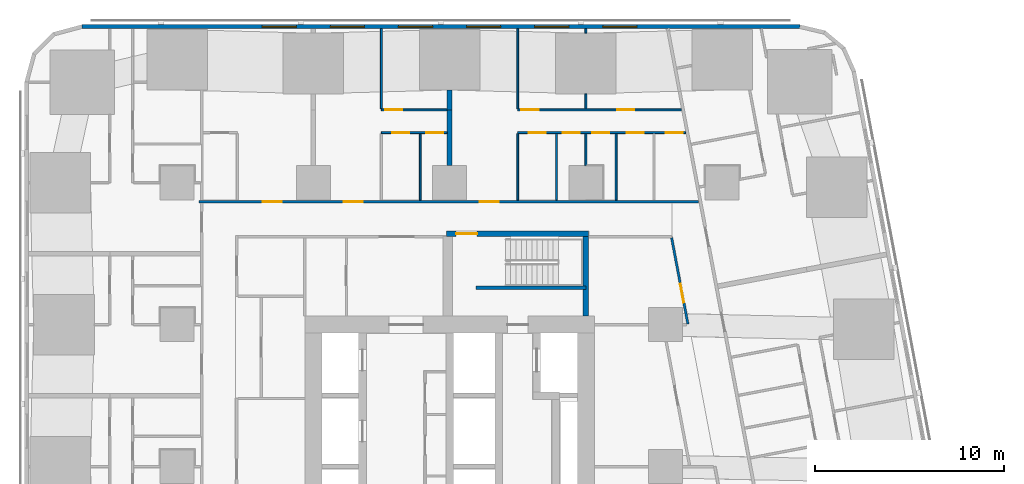
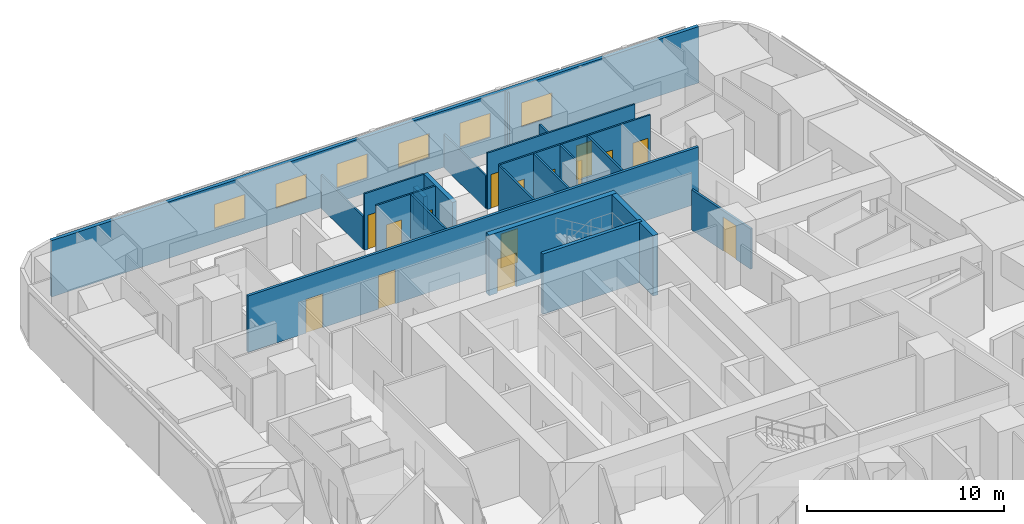
# One storey, part 12 of 17: 21 walls, 15 doors, 6 windows, 21 openings.
"""IFC4 building model written with IfcOpenShell, lengths in metres."""

from ifc_helpers import new_model, si_unit, direction, frame, frame_2d, origin, place, context, subcontext, project, spatial, rectangle, extrude, material, layer, layer_set, type_object, element, fill, save


model = new_model("IFC4")

# Units and contexts
model_context = context("Model", 3, precision=1e-05, world=origin(), true_north=direction((0.0, 1.0)))
body_context = subcontext(model_context, "Body", "Model", "MODEL_VIEW")
ifc_project = project(units=[si_unit("LENGTHUNIT", "METRE"), si_unit("AREAUNIT", "SQUARE_METRE"), si_unit("VOLUMEUNIT", "CUBIC_METRE"), si_unit("PLANEANGLEUNIT", "RADIAN"), si_unit("MASSUNIT", "GRAM", prefix="KILO")], contexts=[model_context])

# Site, building, storey
site_placement = place(None, origin())
site = spatial("IfcSite", under=ifc_project, at=site_placement, CompositionType="ELEMENT")
building_placement = place(site_placement, origin())
building = spatial("IfcBuilding", under=site, at=building_placement, Name="Sheger Commons Tower", CompositionType="ELEMENT")
storey_placement = place(building_placement, frame((0.0, 0.0, 23.75)))
storey = spatial("IfcBuildingStorey", under=building, at=storey_placement, Name="L05", CompositionType="ELEMENT", Elevation=23.75)

# Wall, openings, doors
ifc_material_1 = material(Name="Hollow concrete block masonry, skimmed both sides", Category="masonry")
ifc_layer_1 = layer(ifc_material_1, 0.14990234375)
ifc_layer_set_1 = layer_set([ifc_layer_1], Name="CORRIDOR WALL 150")
wall_type_1 = type_object("IfcWallType", Name="CORRIDOR WALL 150", PredefinedType="SOLIDWALL", material=ifc_layer_set_1)
wall_1_placement = place(storey_placement, frame((8.35009765625, 36.5, 0.0), z_axis=(0.0, 0.0, 1.0), x_axis=(1.0, 0.0, 0.0)))
wall_1 = element("IfcWall", 1, at=wall_1_placement, inside=storey, type_object=wall_type_1, Name="Corridor wall L05", PredefinedType="SOLIDWALL", context=body_context, shape_type="SweptSolid", body=[
    extrude(rectangle(XDim=26.414794921875, YDim=0.14990234375, at=frame_2d((13.20751953125, 0.0))), origin(), (0.0, 0.0, 1.0), 3.5),
])
opening_1_placement = place(wall_1_placement, frame((3.383056640625, 0.0, 0.0)))
opening_1 = element("IfcOpeningElement", 2, at=opening_1_placement, cuts=wall_1, Name="Opening D1", PredefinedType="OPENING", context=body_context, shape_type="SweptSolid", body=[
    extrude(rectangle(XDim=1.0, YDim=2.10009765625, at=frame_2d((0.5, 1.050048828125))), frame((0.0, 0.0849609375, 0.0), z_axis=(0.0, -1.0, 0.0), x_axis=(1.0, 0.0, 0.0)), (0.0, 0.0, 1.0), 0.169921875),
])
opening_2_placement = place(wall_1_placement, frame((7.64990234375, 0.0, 0.0)))
opening_2 = element("IfcOpeningElement", 3, at=opening_2_placement, cuts=wall_1, Name="Opening D1", PredefinedType="OPENING", context=body_context, shape_type="SweptSolid", body=[
    extrude(rectangle(XDim=1.0, YDim=2.10009765625, at=frame_2d((0.5, 1.050048828125))), frame((0.0, 0.0849609375, 0.0), z_axis=(0.0, -1.0, 0.0), x_axis=(1.0, 0.0, 0.0)), (0.0, 0.0, 1.0), 0.169921875),
])
opening_3_placement = place(wall_1_placement, frame((14.85693359375, 0.0, 0.0)))
opening_3 = element("IfcOpeningElement", 4, at=opening_3_placement, cuts=wall_1, Name="Opening D1", PredefinedType="OPENING", context=body_context, shape_type="SweptSolid", body=[
    extrude(rectangle(XDim=1.0, YDim=2.10009765625, at=frame_2d((0.5, 1.050048828125))), frame((0.0, 0.0849609375, 0.0), z_axis=(0.0, -1.0, 0.0), x_axis=(1.0, 0.0, 0.0)), (0.0, 0.0, 1.0), 0.169921875),
])
ifc_material_2 = material(Name="Steel door set, fire rated", Category="steel")
door_type_1 = type_object("IfcDoorType", Name="FLAT ENTRANCE DOOR 1000x2100", OperationType="NOTDEFINED", PredefinedType="DOOR", material=ifc_material_2)
door_1_placement = place(opening_1_placement, origin())
door_1 = element("IfcDoor", 5, at=door_1_placement, inside=storey, type_object=door_type_1, Name="Flat entrance door", OperationType="SINGLE_SWING_RIGHT", OverallHeight=2.10009765625, OverallWidth=1.0, PredefinedType="DOOR", context=body_context, shape_type="SweptSolid", body=[
    extrude(rectangle(XDim=1.0, YDim=2.10009765625, at=frame_2d((0.5, 1.050048828125))), frame((0.0, 0.02490234375, 0.0), z_axis=(0.0, -1.0, 0.0), x_axis=(1.0, 0.0, 0.0)), (0.0, 0.0, 1.0), 0.050048828125),
])
fill(opening_1, door_1)
door_2_placement = place(opening_2_placement, origin())
door_2 = element("IfcDoor", 6, at=door_2_placement, inside=storey, type_object=door_type_1, Name="Flat entrance door", OperationType="SINGLE_SWING_RIGHT", OverallHeight=2.10009765625, OverallWidth=1.0, PredefinedType="DOOR", context=body_context, shape_type="SweptSolid", body=[
    extrude(rectangle(XDim=1.0, YDim=2.10009765625, at=frame_2d((0.5, 1.050048828125))), frame((0.0, 0.02490234375, 0.0), z_axis=(0.0, -1.0, 0.0), x_axis=(1.0, 0.0, 0.0)), (0.0, 0.0, 1.0), 0.050048828125),
])
fill(opening_2, door_2)
door_3_placement = place(opening_3_placement, origin())
door_3 = element("IfcDoor", 7, at=door_3_placement, inside=storey, type_object=door_type_1, Name="Flat entrance door", OperationType="SINGLE_SWING_RIGHT", OverallHeight=2.10009765625, OverallWidth=1.0, PredefinedType="DOOR", context=body_context, shape_type="SweptSolid", body=[
    extrude(rectangle(XDim=1.0, YDim=2.10009765625, at=frame_2d((0.5, 1.050048828125))), frame((0.0, 0.02490234375, 0.0), z_axis=(0.0, -1.0, 0.0), x_axis=(1.0, 0.0, 0.0)), (0.0, 0.0, 1.0), 0.050048828125),
])
fill(opening_3, door_3)

# Walls
ifc_material_3 = material(Name="Dense concrete block masonry, plastered both sides (separating wall between flats)", Category="masonry")
ifc_layer_2 = layer(ifc_material_3, 0.25)
ifc_layer_set_2 = layer_set([ifc_layer_2], Name="DEMISING WALL 250")
wall_type_2 = type_object("IfcWallType", Name="DEMISING WALL 250", PredefinedType="SOLIDWALL", material=ifc_layer_set_2)
wall_2_placement = place(storey_placement, frame((21.60009765625, 41.35009765625, 0.0), z_axis=(0.0, 0.0, 1.0), x_axis=(0.0, 1.0, 0.0)))
element("IfcWall", 8, at=wall_2_placement, inside=storey, type_object=wall_type_2, Name="Demising wall L05", PredefinedType="SOLIDWALL", context=body_context, shape_type="SweptSolid", body=[
    extrude(rectangle(XDim=1.048828125, YDim=0.25, at=frame_2d((0.5244140625, 0.0))), origin(), (0.0, 0.0, 1.0), 2.050048828125),
])
wall_3_placement = place(storey_placement, frame((21.60009765625, 38.40087890625, 0.0), z_axis=(0.0, 0.0, 1.0), x_axis=(0.0, 1.0, 0.0)))
element("IfcWall", 9, at=wall_3_placement, inside=storey, type_object=wall_type_2, Name="Demising wall L05", PredefinedType="SOLIDWALL", context=body_context, shape_type="SweptSolid", body=[
    extrude(rectangle(XDim=2.94921875, YDim=0.25, at=frame_2d((1.474609375, 0.0))), origin(), (0.0, 0.0, 1.0), 3.5),
])

# Wall, openings, windows
ifc_material_4 = material(Name="Rendered concrete block masonry, dark grey", Category="masonry")
ifc_layer_3 = layer(ifc_material_4, 0.199951171875)
ifc_layer_set_3 = layer_set([ifc_layer_3], Name="FACADE WALL 200")
wall_type_3 = type_object("IfcWallType", Name="FACADE WALL 200", PredefinedType="SOLIDWALL", material=ifc_layer_set_3)
wall_4_placement = place(storey_placement, frame((40.10595703125, 45.75, 0.0), z_axis=(0.0, 0.0, 1.0), x_axis=(-1.0, 0.0, 0.0)))
wall_4 = element("IfcWall", 10, at=wall_4_placement, inside=storey, type_object=wall_type_3, Name="Facade wall L05", PredefinedType="SOLIDWALL", context=body_context, shape_type="SweptSolid", body=[
    extrude(rectangle(XDim=37.94287109375, YDim=0.199951171875, at=frame_2d((18.971435546875, 0.0))), origin(), (0.0, 0.0, 1.0), 3.5),
])
opening_4_placement = place(wall_4_placement, frame((8.60595703125, 0.0, 0.89990234375)))
opening_4 = element("IfcOpeningElement", 11, at=opening_4_placement, cuts=wall_4, Name="Opening W2", PredefinedType="OPENING", context=body_context, shape_type="SweptSolid", body=[
    extrude(rectangle(XDim=1.800048828125, YDim=1.5, at=frame_2d((0.89990234375, 0.75))), frame((0.0, 0.10986328125, 0.0), z_axis=(0.0, -1.0, 0.0), x_axis=(1.0, 0.0, 0.0)), (0.0, 0.0, 1.0), 0.219970703125),
])
opening_5_placement = place(wall_4_placement, frame((12.2060546875, 0.0, 0.89990234375)))
opening_5 = element("IfcOpeningElement", 12, at=opening_5_placement, cuts=wall_4, Name="Opening W2", PredefinedType="OPENING", context=body_context, shape_type="SweptSolid", body=[
    extrude(rectangle(XDim=1.800048828125, YDim=1.5, at=frame_2d((0.89990234375, 0.75))), frame((0.0, 0.10986328125, 0.0), z_axis=(0.0, -1.0, 0.0), x_axis=(1.0, 0.0, 0.0)), (0.0, 0.0, 1.0), 0.219970703125),
])
opening_6_placement = place(wall_4_placement, frame((15.805908203125, 0.0, 0.89990234375)))
opening_6 = element("IfcOpeningElement", 13, at=opening_6_placement, cuts=wall_4, Name="Opening W2", PredefinedType="OPENING", context=body_context, shape_type="SweptSolid", body=[
    extrude(rectangle(XDim=1.800048828125, YDim=1.5, at=frame_2d((0.89990234375, 0.75))), frame((0.0, 0.10986328125, 0.0), z_axis=(0.0, -1.0, 0.0), x_axis=(1.0, 0.0, 0.0)), (0.0, 0.0, 1.0), 0.219970703125),
])
opening_7_placement = place(wall_4_placement, frame((19.406005859375, 0.0, 0.89990234375)))
opening_7 = element("IfcOpeningElement", 14, at=opening_7_placement, cuts=wall_4, Name="Opening W2", PredefinedType="OPENING", context=body_context, shape_type="SweptSolid", body=[
    extrude(rectangle(XDim=1.800048828125, YDim=1.5, at=frame_2d((0.89990234375, 0.75))), frame((0.0, 0.10986328125, 0.0), z_axis=(0.0, -1.0, 0.0), x_axis=(1.0, 0.0, 0.0)), (0.0, 0.0, 1.0), 0.219970703125),
])
opening_8_placement = place(wall_4_placement, frame((23.006103515625, 0.0, 0.89990234375)))
opening_8 = element("IfcOpeningElement", 15, at=opening_8_placement, cuts=wall_4, Name="Opening W2", PredefinedType="OPENING", context=body_context, shape_type="SweptSolid", body=[
    extrude(rectangle(XDim=1.800048828125, YDim=1.5, at=frame_2d((0.89990234375, 0.75))), frame((0.0, 0.10986328125, 0.0), z_axis=(0.0, -1.0, 0.0), x_axis=(1.0, 0.0, 0.0)), (0.0, 0.0, 1.0), 0.219970703125),
])
opening_9_placement = place(wall_4_placement, frame((26.60595703125, 0.0, 0.89990234375)))
opening_9 = element("IfcOpeningElement", 16, at=opening_9_placement, cuts=wall_4, Name="Opening W2", PredefinedType="OPENING", context=body_context, shape_type="SweptSolid", body=[
    extrude(rectangle(XDim=1.800048828125, YDim=1.5, at=frame_2d((0.89990234375, 0.75))), frame((0.0, 0.10986328125, 0.0), z_axis=(0.0, -1.0, 0.0), x_axis=(1.0, 0.0, 0.0)), (0.0, 0.0, 1.0), 0.219970703125),
])
ifc_material_5 = material(Name="Black aluminium frame, dark tinted double glazing", Category="aluminium")
window_type = type_object("IfcWindowType", Name="WINDOW W2 1800x1500", PartitioningType="SINGLE_PANEL", PredefinedType="WINDOW", material=ifc_material_5)
window_1_placement = place(opening_4_placement, origin())
window_1 = element("IfcWindow", 17, at=window_1_placement, inside=storey, type_object=window_type, Name="Window W2 1800X1500", OverallHeight=1.5, OverallWidth=1.800048828125, PartitioningType="SINGLE_PANEL", PredefinedType="WINDOW", context=body_context, shape_type="SweptSolid", body=[
    extrude(rectangle(XDim=1.800048828125, YDim=1.5, at=frame_2d((0.89990234375, 0.75))), frame((0.0, 0.030029296875, 0.0), z_axis=(0.0, -1.0, 0.0), x_axis=(1.0, 0.0, 0.0)), (0.0, 0.0, 1.0), 0.06005859375),
])
fill(opening_4, window_1)
window_2_placement = place(opening_5_placement, origin())
window_2 = element("IfcWindow", 18, at=window_2_placement, inside=storey, type_object=window_type, Name="Window W2 1800X1500", OverallHeight=1.5, OverallWidth=1.800048828125, PartitioningType="SINGLE_PANEL", PredefinedType="WINDOW", context=body_context, shape_type="SweptSolid", body=[
    extrude(rectangle(XDim=1.800048828125, YDim=1.5, at=frame_2d((0.89990234375, 0.75))), frame((0.0, 0.030029296875, 0.0), z_axis=(0.0, -1.0, 0.0), x_axis=(1.0, 0.0, 0.0)), (0.0, 0.0, 1.0), 0.06005859375),
])
fill(opening_5, window_2)
window_3_placement = place(opening_6_placement, origin())
window_3 = element("IfcWindow", 19, at=window_3_placement, inside=storey, type_object=window_type, Name="Window W2 1800X1500", OverallHeight=1.5, OverallWidth=1.800048828125, PartitioningType="SINGLE_PANEL", PredefinedType="WINDOW", context=body_context, shape_type="SweptSolid", body=[
    extrude(rectangle(XDim=1.800048828125, YDim=1.5, at=frame_2d((0.89990234375, 0.75))), frame((0.0, 0.030029296875, 0.0), z_axis=(0.0, -1.0, 0.0), x_axis=(1.0, 0.0, 0.0)), (0.0, 0.0, 1.0), 0.06005859375),
])
fill(opening_6, window_3)
window_4_placement = place(opening_7_placement, origin())
window_4 = element("IfcWindow", 20, at=window_4_placement, inside=storey, type_object=window_type, Name="Window W2 1800X1500", OverallHeight=1.5, OverallWidth=1.800048828125, PartitioningType="SINGLE_PANEL", PredefinedType="WINDOW", context=body_context, shape_type="SweptSolid", body=[
    extrude(rectangle(XDim=1.800048828125, YDim=1.5, at=frame_2d((0.89990234375, 0.75))), frame((0.0, 0.030029296875, 0.0), z_axis=(0.0, -1.0, 0.0), x_axis=(1.0, 0.0, 0.0)), (0.0, 0.0, 1.0), 0.06005859375),
])
fill(opening_7, window_4)
window_5_placement = place(opening_8_placement, origin())
window_5 = element("IfcWindow", 21, at=window_5_placement, inside=storey, type_object=window_type, Name="Window W2 1800X1500", OverallHeight=1.5, OverallWidth=1.800048828125, PartitioningType="SINGLE_PANEL", PredefinedType="WINDOW", context=body_context, shape_type="SweptSolid", body=[
    extrude(rectangle(XDim=1.800048828125, YDim=1.5, at=frame_2d((0.89990234375, 0.75))), frame((0.0, 0.030029296875, 0.0), z_axis=(0.0, -1.0, 0.0), x_axis=(1.0, 0.0, 0.0)), (0.0, 0.0, 1.0), 0.06005859375),
])
fill(opening_8, window_5)
window_6_placement = place(opening_9_placement, origin())
window_6 = element("IfcWindow", 22, at=window_6_placement, inside=storey, type_object=window_type, Name="Window W2 1800X1500", OverallHeight=1.5, OverallWidth=1.800048828125, PartitioningType="SINGLE_PANEL", PredefinedType="WINDOW", context=body_context, shape_type="SweptSolid", body=[
    extrude(rectangle(XDim=1.800048828125, YDim=1.5, at=frame_2d((0.89990234375, 0.75))), frame((0.0, 0.030029296875, 0.0), z_axis=(0.0, -1.0, 0.0), x_axis=(1.0, 0.0, 0.0)), (0.0, 0.0, 1.0), 0.06005859375),
])
fill(opening_9, window_6)

# Wall, opening, door
ifc_material_6 = material(Name="Gypsum board on steel studs", Category="steel")
ifc_layer_4 = layer(ifc_material_6, 0.10009765625)
ifc_layer_set_4 = layer_set([ifc_layer_4], Name="PARTITION 100")
wall_type_4 = type_object("IfcWallType", Name="PARTITION 100", PredefinedType="PARTITIONING", material=ifc_layer_set_4)
wall_5_placement = place(storey_placement, frame((18.0, 41.35009765625, 0.0), z_axis=(0.0, 0.0, 1.0), x_axis=(1.0, 0.0, 0.0)))
wall_5 = element("IfcWall", 23, at=wall_5_placement, inside=storey, type_object=wall_type_4, Name="Partition L05", PredefinedType="PARTITIONING", context=body_context, shape_type="SweptSolid", body=[
    extrude(rectangle(XDim=3.47509765625, YDim=0.10009765625, at=frame_2d((1.737548828125, 0.0))), origin(), (0.0, 0.0, 1.0), 3.5),
])
opening_10_placement = place(wall_5_placement, frame((0.199951171875, 0.0, 0.0)))
opening_10 = element("IfcOpeningElement", 24, at=opening_10_placement, cuts=wall_5, Name="Opening D2", PredefinedType="OPENING", context=body_context, shape_type="SweptSolid", body=[
    extrude(rectangle(XDim=0.89990234375, YDim=2.10009765625, at=frame_2d((0.449951171875, 1.050048828125))), frame((0.0, 0.06005859375, 0.0), z_axis=(0.0, -1.0, 0.0), x_axis=(1.0, 0.0, 0.0)), (0.0, 0.0, 1.0), 0.1201171875),
])
ifc_material_7 = material(Name="Timber door set", Category="wood")
door_type_2 = type_object("IfcDoorType", Name="INTERNAL DOOR 900x2100", OperationType="NOTDEFINED", PredefinedType="DOOR", material=ifc_material_7)
door_4_placement = place(opening_10_placement, origin())
door_4 = element("IfcDoor", 25, at=door_4_placement, inside=storey, type_object=door_type_2, Name="Main bedroom door", OperationType="SINGLE_SWING_LEFT", OverallHeight=2.10009765625, OverallWidth=0.89990234375, PredefinedType="DOOR", context=body_context, shape_type="SweptSolid", body=[
    extrude(rectangle(XDim=0.89990234375, YDim=2.10009765625, at=frame_2d((0.449951171875, 1.050048828125))), frame((0.0, 0.02490234375, 0.0), z_axis=(0.0, -1.0, 0.0), x_axis=(1.0, 0.0, 0.0)), (0.0, 0.0, 1.0), 0.050048828125),
])
fill(opening_10, door_4)

# Wall, openings, doors
wall_6_placement = place(storey_placement, frame((18.0, 40.14990234375, 0.0), z_axis=(0.0, 0.0, 1.0), x_axis=(1.0, 0.0, 0.0)))
wall_6 = element("IfcWall", 26, at=wall_6_placement, inside=storey, type_object=wall_type_4, Name="Partition L05", PredefinedType="PARTITIONING", context=body_context, shape_type="SweptSolid", body=[
    extrude(rectangle(XDim=3.47509765625, YDim=0.10009765625, at=frame_2d((1.737548828125, 0.0))), origin(), (0.0, 0.0, 1.0), 3.5),
])
opening_11_placement = place(wall_6_placement, frame((0.574951171875, 0.0, 0.0)))
opening_11 = element("IfcOpeningElement", 27, at=opening_11_placement, cuts=wall_6, Name="Opening D2", PredefinedType="OPENING", context=body_context, shape_type="SweptSolid", body=[
    extrude(rectangle(XDim=0.89990234375, YDim=2.10009765625, at=frame_2d((0.449951171875, 1.050048828125))), frame((0.0, 0.06005859375, 0.0), z_axis=(0.0, -1.0, 0.0), x_axis=(1.0, 0.0, 0.0)), (0.0, 0.0, 1.0), 0.1201171875),
])
opening_12_placement = place(wall_6_placement, frame((2.375, 0.0, 0.0)))
opening_12 = element("IfcOpeningElement", 28, at=opening_12_placement, cuts=wall_6, Name="Opening D2", PredefinedType="OPENING", context=body_context, shape_type="SweptSolid", body=[
    extrude(rectangle(XDim=0.89990234375, YDim=2.10009765625, at=frame_2d((0.449951171875, 1.050048828125))), frame((0.0, 0.06005859375, 0.0), z_axis=(0.0, -1.0, 0.0), x_axis=(1.0, 0.0, 0.0)), (0.0, 0.0, 1.0), 0.1201171875),
])
door_5_placement = place(opening_11_placement, origin())
door_5 = element("IfcDoor", 29, at=door_5_placement, inside=storey, type_object=door_type_2, Name="Bathroom door", OperationType="SINGLE_SWING_RIGHT", OverallHeight=2.10009765625, OverallWidth=0.89990234375, PredefinedType="DOOR", context=body_context, shape_type="SweptSolid", body=[
    extrude(rectangle(XDim=0.89990234375, YDim=2.10009765625, at=frame_2d((0.449951171875, 1.050048828125))), frame((0.0, 0.02490234375, 0.0), z_axis=(0.0, -1.0, 0.0), x_axis=(1.0, 0.0, 0.0)), (0.0, 0.0, 1.0), 0.050048828125),
])
fill(opening_11, door_5)
door_6_placement = place(opening_12_placement, origin())
door_6 = element("IfcDoor", 30, at=door_6_placement, inside=storey, type_object=door_type_2, Name="Store door", OperationType="SINGLE_SWING_LEFT", OverallHeight=2.10009765625, OverallWidth=0.89990234375, PredefinedType="DOOR", context=body_context, shape_type="SweptSolid", body=[
    extrude(rectangle(XDim=0.89990234375, YDim=2.10009765625, at=frame_2d((0.449951171875, 1.050048828125))), frame((0.0, 0.02490234375, 0.0), z_axis=(0.0, -1.0, 0.0), x_axis=(1.0, 0.0, 0.0)), (0.0, 0.0, 1.0), 0.050048828125),
])
fill(opening_12, door_6)

# Walls
wall_7_placement = place(storey_placement, frame((18.0, 41.39990234375, 0.0), z_axis=(0.0, 0.0, 1.0), x_axis=(0.0, 1.0, 0.0)))
element("IfcWall", 31, at=wall_7_placement, inside=storey, type_object=wall_type_4, Name="Partition L05", PredefinedType="PARTITIONING", context=body_context, shape_type="SweptSolid", body=[
    extrude(rectangle(XDim=4.25, YDim=0.10009765625, at=frame_2d((2.125, 0.0))), origin(), (0.0, 0.0, 1.0), 2.050048828125),
])
wall_8_placement = place(storey_placement, frame((20.050048828125, 36.574951171875, 0.0), z_axis=(0.0, 0.0, 1.0), x_axis=(0.0, 1.0, 0.0)))
element("IfcWall", 32, at=wall_8_placement, inside=storey, type_object=wall_type_4, Name="Partition L05", PredefinedType="PARTITIONING", context=body_context, shape_type="SweptSolid", body=[
    extrude(rectangle(XDim=3.525146484375, YDim=0.10009765625, at=frame_2d((1.7626953125, 0.0))), origin(), (0.0, 0.0, 1.0), 3.5),
])

# Wall, openings, doors
wall_9_placement = place(storey_placement, frame((25.199951171875, 41.35009765625, 0.0), z_axis=(0.0, 0.0, 1.0), x_axis=(1.0, 0.0, 0.0)))
wall_9 = element("IfcWall", 33, at=wall_9_placement, inside=storey, type_object=wall_type_4, Name="Partition L05", PredefinedType="PARTITIONING", context=body_context, shape_type="SweptSolid", body=[
    extrude(rectangle(XDim=8.653076171875, YDim=0.10009765625, at=frame_2d((4.32666015625, 0.0))), origin(), (0.0, 0.0, 1.0), 3.5),
])
opening_13_placement = place(wall_9_placement, frame((0.199951171875, 0.0, 0.0)))
opening_13 = element("IfcOpeningElement", 34, at=opening_13_placement, cuts=wall_9, Name="Opening D2", PredefinedType="OPENING", context=body_context, shape_type="SweptSolid", body=[
    extrude(rectangle(XDim=0.89990234375, YDim=2.10009765625, at=frame_2d((0.449951171875, 1.050048828125))), frame((0.0, 0.06005859375, 0.0), z_axis=(0.0, -1.0, 0.0), x_axis=(1.0, 0.0, 0.0)), (0.0, 0.0, 1.0), 0.1201171875),
])
opening_14_placement = place(wall_9_placement, frame((5.25, 0.0, 0.0)))
opening_14 = element("IfcOpeningElement", 35, at=opening_14_placement, cuts=wall_9, Name="Opening D2", PredefinedType="OPENING", context=body_context, shape_type="SweptSolid", body=[
    extrude(rectangle(XDim=0.89990234375, YDim=2.10009765625, at=frame_2d((0.449951171875, 1.050048828125))), frame((0.0, 0.06005859375, 0.0), z_axis=(0.0, -1.0, 0.0), x_axis=(1.0, 0.0, 0.0)), (0.0, 0.0, 1.0), 0.1201171875),
])
door_7_placement = place(opening_13_placement, origin())
door_7 = element("IfcDoor", 36, at=door_7_placement, inside=storey, type_object=door_type_2, Name="Main bedroom door", OperationType="SINGLE_SWING_LEFT", OverallHeight=2.10009765625, OverallWidth=0.89990234375, PredefinedType="DOOR", context=body_context, shape_type="SweptSolid", body=[
    extrude(rectangle(XDim=0.89990234375, YDim=2.10009765625, at=frame_2d((0.449951171875, 1.050048828125))), frame((0.0, 0.02490234375, 0.0), z_axis=(0.0, -1.0, 0.0), x_axis=(1.0, 0.0, 0.0)), (0.0, 0.0, 1.0), 0.050048828125),
])
fill(opening_13, door_7)
door_8_placement = place(opening_14_placement, origin())
door_8 = element("IfcDoor", 37, at=door_8_placement, inside=storey, type_object=door_type_2, Name="Bedroom 2 door", OperationType="SINGLE_SWING_LEFT", OverallHeight=2.10009765625, OverallWidth=0.89990234375, PredefinedType="DOOR", context=body_context, shape_type="SweptSolid", body=[
    extrude(rectangle(XDim=0.89990234375, YDim=2.10009765625, at=frame_2d((0.449951171875, 1.050048828125))), frame((0.0, 0.02490234375, 0.0), z_axis=(0.0, -1.0, 0.0), x_axis=(1.0, 0.0, 0.0)), (0.0, 0.0, 1.0), 0.050048828125),
])
fill(opening_14, door_8)

wall_10_placement = place(storey_placement, frame((25.199951171875, 40.14990234375, 0.0), z_axis=(0.0, 0.0, 1.0), x_axis=(1.0, 0.0, 0.0)))
wall_10 = element("IfcWall", 38, at=wall_10_placement, inside=storey, type_object=wall_type_4, Name="Partition L05", PredefinedType="PARTITIONING", context=body_context, shape_type="SweptSolid", body=[
    extrude(rectangle(XDim=8.880126953125, YDim=0.10009765625, at=frame_2d((4.43994140625, 0.0))), origin(), (0.0, 0.0, 1.0), 3.5),
])
opening_15_placement = place(wall_10_placement, frame((0.574951171875, 0.0, 0.0)))
opening_15 = element("IfcOpeningElement", 39, at=opening_15_placement, cuts=wall_10, Name="Opening D2", PredefinedType="OPENING", context=body_context, shape_type="SweptSolid", body=[
    extrude(rectangle(XDim=0.89990234375, YDim=2.10009765625, at=frame_2d((0.449951171875, 1.050048828125))), frame((0.0, 0.06005859375, 0.0), z_axis=(0.0, -1.0, 0.0), x_axis=(1.0, 0.0, 0.0)), (0.0, 0.0, 1.0), 0.1201171875),
])
opening_16_placement = place(wall_10_placement, frame((3.949951171875, 0.0, 0.0)))
opening_16 = element("IfcOpeningElement", 40, at=opening_16_placement, cuts=wall_10, Name="Opening D2", PredefinedType="OPENING", context=body_context, shape_type="SweptSolid", body=[
    extrude(rectangle(XDim=0.89990234375, YDim=2.10009765625, at=frame_2d((0.449951171875, 1.050048828125))), frame((0.0, 0.06005859375, 0.0), z_axis=(0.0, -1.0, 0.0), x_axis=(1.0, 0.0, 0.0)), (0.0, 0.0, 1.0), 0.1201171875),
])
opening_17_placement = place(wall_10_placement, frame((7.830078125, 0.0, 0.0)))
opening_17 = element("IfcOpeningElement", 41, at=opening_17_placement, cuts=wall_10, Name="Opening D2", PredefinedType="OPENING", context=body_context, shape_type="SweptSolid", body=[
    extrude(rectangle(XDim=0.89990234375, YDim=2.10009765625, at=frame_2d((0.449951171875, 1.050048828125))), frame((0.0, 0.06005859375, 0.0), z_axis=(0.0, -1.0, 0.0), x_axis=(1.0, 0.0, 0.0)), (0.0, 0.0, 1.0), 0.1201171875),
])
opening_18_placement = place(wall_10_placement, frame((2.375, 0.0, 0.0)))
opening_18 = element("IfcOpeningElement", 42, at=opening_18_placement, cuts=wall_10, Name="Opening D2", PredefinedType="OPENING", context=body_context, shape_type="SweptSolid", body=[
    extrude(rectangle(XDim=0.89990234375, YDim=2.10009765625, at=frame_2d((0.449951171875, 1.050048828125))), frame((0.0, 0.06005859375, 0.0), z_axis=(0.0, -1.0, 0.0), x_axis=(1.0, 0.0, 0.0)), (0.0, 0.0, 1.0), 0.1201171875),
])
opening_19_placement = place(wall_10_placement, frame((5.75, 0.0, 0.0)))
opening_19 = element("IfcOpeningElement", 43, at=opening_19_placement, cuts=wall_10, Name="Opening D2", PredefinedType="OPENING", context=body_context, shape_type="SweptSolid", body=[
    extrude(rectangle(XDim=0.89990234375, YDim=2.10009765625, at=frame_2d((0.449951171875, 1.050048828125))), frame((0.0, 0.06005859375, 0.0), z_axis=(0.0, -1.0, 0.0), x_axis=(1.0, 0.0, 0.0)), (0.0, 0.0, 1.0), 0.1201171875),
])
door_9_placement = place(opening_15_placement, origin())
door_9 = element("IfcDoor", 44, at=door_9_placement, inside=storey, type_object=door_type_2, Name="Bathroom door", OperationType="SINGLE_SWING_RIGHT", OverallHeight=2.10009765625, OverallWidth=0.89990234375, PredefinedType="DOOR", context=body_context, shape_type="SweptSolid", body=[
    extrude(rectangle(XDim=0.89990234375, YDim=2.10009765625, at=frame_2d((0.449951171875, 1.050048828125))), frame((0.0, 0.02490234375, 0.0), z_axis=(0.0, -1.0, 0.0), x_axis=(1.0, 0.0, 0.0)), (0.0, 0.0, 1.0), 0.050048828125),
])
fill(opening_15, door_9)
door_10_placement = place(opening_16_placement, origin())
door_10 = element("IfcDoor", 45, at=door_10_placement, inside=storey, type_object=door_type_2, Name="Shower room door", OperationType="SINGLE_SWING_LEFT", OverallHeight=2.10009765625, OverallWidth=0.89990234375, PredefinedType="DOOR", context=body_context, shape_type="SweptSolid", body=[
    extrude(rectangle(XDim=0.89990234375, YDim=2.10009765625, at=frame_2d((0.449951171875, 1.050048828125))), frame((0.0, 0.02490234375, 0.0), z_axis=(0.0, -1.0, 0.0), x_axis=(1.0, 0.0, 0.0)), (0.0, 0.0, 1.0), 0.050048828125),
])
fill(opening_16, door_10)
door_11_placement = place(opening_17_placement, origin())
door_11 = element("IfcDoor", 46, at=door_11_placement, inside=storey, type_object=door_type_2, Name="Laundry room door", OperationType="SINGLE_SWING_LEFT", OverallHeight=2.10009765625, OverallWidth=0.89990234375, PredefinedType="DOOR", context=body_context, shape_type="SweptSolid", body=[
    extrude(rectangle(XDim=0.89990234375, YDim=2.10009765625, at=frame_2d((0.449951171875, 1.050048828125))), frame((0.0, 0.02490234375, 0.0), z_axis=(0.0, -1.0, 0.0), x_axis=(1.0, 0.0, 0.0)), (0.0, 0.0, 1.0), 0.050048828125),
])
fill(opening_17, door_11)
door_12_placement = place(opening_18_placement, origin())
door_12 = element("IfcDoor", 47, at=door_12_placement, inside=storey, type_object=door_type_2, Name="Store door", OperationType="SINGLE_SWING_RIGHT", OverallHeight=2.10009765625, OverallWidth=0.89990234375, PredefinedType="DOOR", context=body_context, shape_type="SweptSolid", body=[
    extrude(rectangle(XDim=0.89990234375, YDim=2.10009765625, at=frame_2d((0.449951171875, 1.050048828125))), frame((0.0, 0.02490234375, 0.0), z_axis=(0.0, -1.0, 0.0), x_axis=(1.0, 0.0, 0.0)), (0.0, 0.0, 1.0), 0.050048828125),
])
fill(opening_18, door_12)
door_13_placement = place(opening_19_placement, origin())
door_13 = element("IfcDoor", 48, at=door_13_placement, inside=storey, type_object=door_type_2, Name="Store door", OperationType="SINGLE_SWING_RIGHT", OverallHeight=2.10009765625, OverallWidth=0.89990234375, PredefinedType="DOOR", context=body_context, shape_type="SweptSolid", body=[
    extrude(rectangle(XDim=0.89990234375, YDim=2.10009765625, at=frame_2d((0.449951171875, 1.050048828125))), frame((0.0, 0.02490234375, 0.0), z_axis=(0.0, -1.0, 0.0), x_axis=(1.0, 0.0, 0.0)), (0.0, 0.0, 1.0), 0.050048828125),
])
fill(opening_19, door_13)

# Walls
wall_11_placement = place(storey_placement, frame((25.199951171875, 41.39990234375, 0.0), z_axis=(0.0, 0.0, 1.0), x_axis=(0.0, 1.0, 0.0)))
element("IfcWall", 49, at=wall_11_placement, inside=storey, type_object=wall_type_4, Name="Partition L05", PredefinedType="PARTITIONING", context=body_context, shape_type="SweptSolid", body=[
    extrude(rectangle(XDim=4.25, YDim=0.10009765625, at=frame_2d((2.125, 0.0))), origin(), (0.0, 0.0, 1.0), 2.050048828125),
])
wall_12_placement = place(storey_placement, frame((28.800048828125, 41.39990234375, 0.0), z_axis=(0.0, 0.0, 1.0), x_axis=(0.0, 1.0, 0.0)))
element("IfcWall", 50, at=wall_12_placement, inside=storey, type_object=wall_type_4, Name="Partition L05", PredefinedType="PARTITIONING", context=body_context, shape_type="SweptSolid", body=[
    extrude(rectangle(XDim=0.799072265625, YDim=0.10009765625, at=frame_2d((0.3994140625, 0.0))), origin(), (0.0, 0.0, 1.0), 3.5),
])
wall_13_placement = place(storey_placement, frame((28.800048828125, 45.40087890625, 0.0), z_axis=(0.0, 0.0, 1.0), x_axis=(0.0, 1.0, 0.0)))
element("IfcWall", 51, at=wall_13_placement, inside=storey, type_object=wall_type_4, Name="Partition L05", PredefinedType="PARTITIONING", context=body_context, shape_type="SweptSolid", body=[
    extrude(rectangle(XDim=0.2490234375, YDim=0.10009765625, at=frame_2d((0.12451171875, 0.0))), origin(), (0.0, 0.0, 1.0), 3.5),
])
wall_14_placement = place(storey_placement, frame((25.199951171875, 36.574951171875, 0.0), z_axis=(0.0, 0.0, 1.0), x_axis=(0.0, 1.0, 0.0)))
element("IfcWall", 52, at=wall_14_placement, inside=storey, type_object=wall_type_4, Name="Partition L05", PredefinedType="PARTITIONING", context=body_context, shape_type="SweptSolid", body=[
    extrude(rectangle(XDim=3.525146484375, YDim=0.10009765625, at=frame_2d((1.7626953125, 0.0))), origin(), (0.0, 0.0, 1.0), 3.5),
])
wall_15_placement = place(storey_placement, frame((28.800048828125, 38.40087890625, 0.0), z_axis=(0.0, 0.0, 1.0), x_axis=(0.0, 1.0, 0.0)))
element("IfcWall", 53, at=wall_15_placement, inside=storey, type_object=wall_type_4, Name="Partition L05", PredefinedType="PARTITIONING", context=body_context, shape_type="SweptSolid", body=[
    extrude(rectangle(XDim=1.69921875, YDim=0.10009765625, at=frame_2d((0.849609375, 0.0))), origin(), (0.0, 0.0, 1.0), 3.5),
])
for number, where, z_axis, x_axis, name in (
    (54, (27.25, 36.574951171875, 0.0), (0.0, 0.0, 1.0), (0.0, 1.0, 0.0), "Partition L05"),
    (55, (30.39990234375, 36.574951171875, 0.0), (0.0, 0.0, 1.0), (0.0, 1.0, 0.0), "Partition L05"),
):
    element("IfcWall", number, at=place(storey_placement, frame(where, z_axis=z_axis, x_axis=x_axis)), inside=storey, type_object=wall_type_4, Name=name, PredefinedType="PARTITIONING", context=body_context, shape_type="SweptSolid", body=[
        extrude(rectangle(XDim=3.525146484375, YDim=0.10009765625, at=frame_2d((1.7626953125, 0.0))), origin(), (0.0, 0.0, 1.0), 3.5),
    ])

# Wall, opening, door
ifc_material_8 = material(Name="Gypsum board on steel studs, two layers each side, fire rated", Category="steel")
ifc_layer_5 = layer(ifc_material_8, 0.125)
ifc_layer_set_5 = layer_set([ifc_layer_5], Name="SERVICE WALL 125")
wall_type_5 = type_object("IfcWallType", Name="SERVICE WALL 125", PredefinedType="PARTITIONING", material=ifc_layer_set_5)
wall_16_placement = place(storey_placement, frame((34.193115234375, 30.0400390625, 0.0), z_axis=(0.0, 0.0, 1.0), x_axis=(-0.185626015863, 0.982620467034, 0.0)))
wall_16 = element("IfcWall", 56, at=wall_16_placement, inside=storey, type_object=wall_type_5, Name="Service room wall L05", PredefinedType="PARTITIONING", context=body_context, shape_type="SweptSolid", body=[
    extrude(rectangle(XDim=4.628173828125, YDim=0.125, at=frame_2d((2.31396484375, 0.0))), origin(), (0.0, 0.0, 1.0), 2.5),
])
opening_20_placement = place(wall_16_placement, frame((1.14990234375, 0.0, 0.0)))
opening_20 = element("IfcOpeningElement", 57, at=opening_20_placement, cuts=wall_16, Name="Opening D4", PredefinedType="OPENING", context=body_context, shape_type="SweptSolid", body=[
    extrude(rectangle(XDim=1.0, YDim=2.10009765625, at=frame_2d((0.5, 1.050048828125))), frame((0.0, 0.072509765625, 0.0), z_axis=(0.0, -1.0, 0.0), x_axis=(1.0, 0.0, 0.0)), (0.0, 0.0, 1.0), 0.14501953125),
])
ifc_material_9 = material(Name="Steel door set, fire rated", Category="steel")
door_type_3 = type_object("IfcDoorType", Name="SERVICE DOOR 1000x2100", OperationType="NOTDEFINED", PredefinedType="DOOR", material=ifc_material_9)
door_14_placement = place(opening_20_placement, origin())
door_14 = element("IfcDoor", 58, at=door_14_placement, inside=storey, type_object=door_type_3, Name="Linen store door", OperationType="SINGLE_SWING_LEFT", OverallHeight=2.10009765625, OverallWidth=1.0, PredefinedType="DOOR", context=body_context, shape_type="SweptSolid", body=[
    extrude(rectangle(XDim=1.0, YDim=2.10009765625, at=frame_2d((0.5, 1.050048828125))), frame((0.0, 0.02490234375, 0.0), z_axis=(0.0, -1.0, 0.0), x_axis=(1.0, 0.0, 0.0)), (0.0, 0.0, 1.0), 0.050048828125),
])
fill(opening_20, door_14)

ifc_material_10 = material(Name="Concrete C50/60", Category="concrete")
ifc_layer_6 = layer(ifc_material_10, 0.300048828125)
ifc_layer_set_6 = layer_set([ifc_layer_6], Name="STAIR CORE WALL 300")
wall_type_6 = type_object("IfcWallType", Name="STAIR CORE WALL 300", PredefinedType="SHEAR", material=ifc_layer_set_6)
wall_17_placement = place(storey_placement, frame((21.449951171875, 34.800048828125, 0.0), z_axis=(0.0, 0.0, 1.0), x_axis=(1.0, 0.0, 0.0)))
wall_17 = element("IfcWall", 59, at=wall_17_placement, inside=storey, type_object=wall_type_6, Name="STW-L05-S2N", PredefinedType="SHEAR", context=body_context, shape_type="SweptSolid", body=[
    extrude(rectangle(XDim=7.5, YDim=0.300048828125, at=frame_2d((3.75, 0.0))), origin(), (0.0, 0.0, 1.0), 3.75),
])
opening_21_placement = place(wall_17_placement, frame((0.5, 0.0, 0.0)))
opening_21 = element("IfcOpeningElement", 60, at=opening_21_placement, cuts=wall_17, Name="Opening D5", PredefinedType="OPENING", context=body_context, shape_type="SweptSolid", body=[
    extrude(rectangle(XDim=1.10009765625, YDim=2.10009765625, at=frame_2d((0.550048828125, 1.050048828125))), frame((0.0, 0.159912109375, 0.0), z_axis=(0.0, -1.0, 0.0), x_axis=(1.0, 0.0, 0.0)), (0.0, 0.0, 1.0), 0.320068359375),
])
ifc_material_11 = material(Name="Steel door set, fire rated", Category="steel")
door_type_4 = type_object("IfcDoorType", Name="STAIR DOOR 1100x2100", OperationType="NOTDEFINED", PredefinedType="DOOR", material=ifc_material_11)
door_15_placement = place(opening_21_placement, origin())
door_15 = element("IfcDoor", 61, at=door_15_placement, inside=storey, type_object=door_type_4, Name="Stair S2 door", OperationType="SINGLE_SWING_RIGHT", OverallHeight=2.10009765625, OverallWidth=1.10009765625, PredefinedType="DOOR", context=body_context, shape_type="SweptSolid", body=[
    extrude(rectangle(XDim=1.10009765625, YDim=2.10009765625, at=frame_2d((0.550048828125, 1.050048828125))), frame((0.0, 0.02490234375, 0.0), z_axis=(0.0, -1.0, 0.0), x_axis=(1.0, 0.0, 0.0)), (0.0, 0.0, 1.0), 0.050048828125),
])
fill(opening_21, door_15)

# Walls
wall_18_placement = place(storey_placement, frame((28.800048828125, 30.449951171875, 0.0), z_axis=(0.0, 0.0, 1.0), x_axis=(0.0, 1.0, 0.0)))
element("IfcWall", 62, at=wall_18_placement, inside=storey, type_object=wall_type_6, Name="STW-L05-S2E", PredefinedType="SHEAR", context=body_context, shape_type="SweptSolid", body=[
    extrude(rectangle(XDim=4.199951171875, YDim=0.300048828125, at=frame_2d((2.10009765625, 0.0))), origin(), (0.0, 0.0, 1.0), 3.75),
])
ifc_material_12 = material(Name="Concrete C50/60", Category="concrete")
ifc_layer_7 = layer(ifc_material_12, 0.199951171875)
ifc_layer_set_7 = layer_set([ifc_layer_7], Name="STAIR SPINE WALL 200")
wall_type_7 = type_object("IfcWallType", Name="STAIR SPINE WALL 200", PredefinedType="SHEAR", material=ifc_layer_set_7)
wall_19_placement = place(storey_placement, frame((23.0, 31.949951171875, 0.0), z_axis=(0.0, 0.0, 1.0), x_axis=(1.0, 0.0, 0.0)))
element("IfcWall", 63, at=wall_19_placement, inside=storey, type_object=wall_type_7, Name="Stair spine wall L05", PredefinedType="SHEAR", context=body_context, shape_type="SweptSolid", body=[
    extrude(rectangle(XDim=5.800048828125, YDim=0.199951171875, at=frame_2d((2.89990234375, 0.0))), origin(), (0.0, 0.0, 1.0), 3.75),
])

save(model, "model.ifc")
